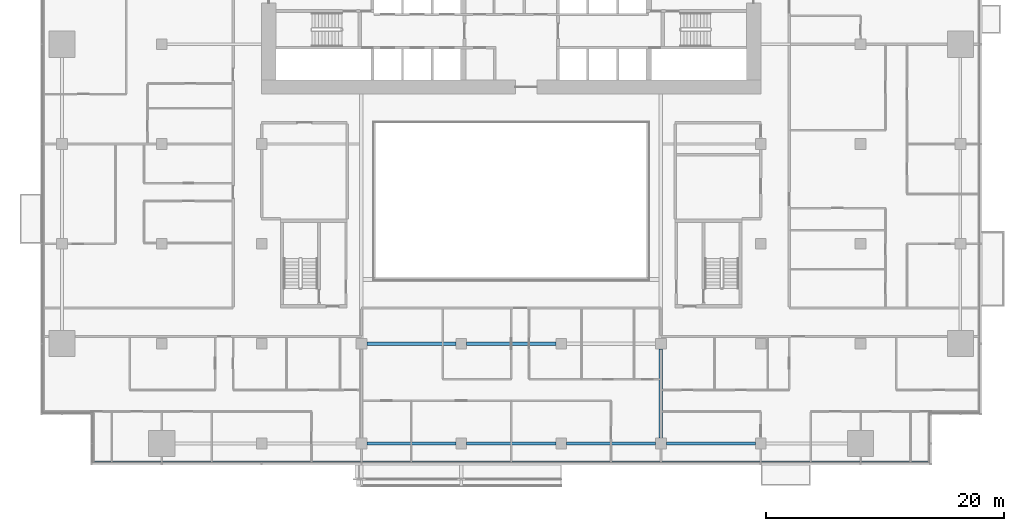
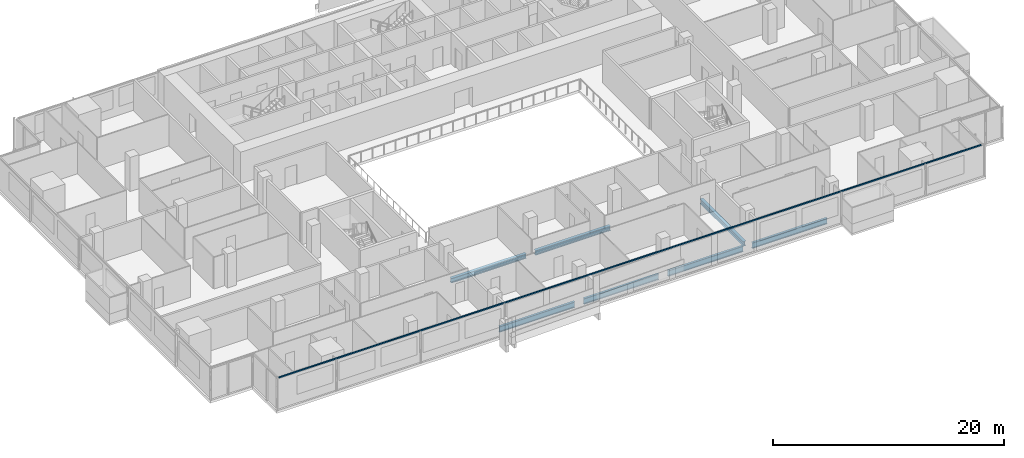
# One storey, part 5 of 26: 7 beams, 1 member, 1 element without a shape of its own.
"""IFC4 building model written with IfcOpenShell, lengths in metres."""

from ifc_helpers import new_model, si_unit, direction, frame, origin, origin_2d, place, context, subcontext, project, spatial, rectangle, i_section, extrude, material, material_profile, profile_set, type_object, element, aggregate, save


model = new_model("IFC4")

# Units and contexts
model_context = context("Model", 3, precision=1e-05, world=origin(), true_north=direction((0.0, 1.0)))
body_context = subcontext(model_context, "Body", "Model", "MODEL_VIEW")
ifc_project = project(units=[si_unit("LENGTHUNIT", "METRE"), si_unit("AREAUNIT", "SQUARE_METRE"), si_unit("VOLUMEUNIT", "CUBIC_METRE"), si_unit("PLANEANGLEUNIT", "RADIAN"), si_unit("MASSUNIT", "GRAM", prefix="KILO")], contexts=[model_context])

# Site, building, storey
site_placement = place(None, origin())
site = spatial("IfcSite", under=ifc_project, at=site_placement, CompositionType="ELEMENT")
building_placement = place(site_placement, origin())
building = spatial("IfcBuilding", under=site, at=building_placement, Name="Saffron Gate Tower", CompositionType="ELEMENT")
storey_placement = place(building_placement, frame((0.0, 0.0, 62.39990234375)))
storey = spatial("IfcBuildingStorey", under=building, at=storey_placement, Name="L14", CompositionType="ELEMENT", Elevation=62.39990234375)

# Beams
ifc_material_1 = material(Name="Structural steel S355", Category="steel")
ifc_material_profile_1 = material_profile(ifc_material_1, i_section(OverallWidth=0.219970703125, OverallDepth=0.60009765625, WebThickness=0.011962890625, FlangeThickness=0.01904296875, FilletRadius=0.02392578125, at=origin_2d()))
ifc_profile_set_1 = profile_set([ifc_material_profile_1], Name="Structural steel S355")
beam_type_1 = type_object("IfcBeamType", Name="B16 IPE 600", PredefinedType="SPANDREL", material=ifc_profile_set_1)
for number, where, z_axis, x_axis, name in (
    (1, (75.449951171875, 31.800048828125, -0.579833984375), (1.0, 0.0, 0.0), (0.0, 1.0, 0.0), "B16 SPANDREL BEAM"),
    (2, (83.85009765625, 31.800048828125, -0.579833984375), (1.0, 0.0, 0.0), (0.0, 1.0, 0.0), "B16 SPANDREL BEAM"),
    (3, (92.25, 31.800048828125, -0.579833984375), (1.0, 0.0, 0.0), (0.0, 1.0, 0.0), "B16 SPANDREL BEAM"),
    (4, (100.64990234375, 31.800048828125, -0.579833984375), (1.0, 0.0, 0.0), (0.0, 1.0, 0.0), "B16 SPANDREL BEAM"),
):
    element("IfcBeam", number, at=place(storey_placement, frame(where, z_axis=z_axis, x_axis=x_axis)), inside=storey, type_object=beam_type_1, Name=name, PredefinedType="SPANDREL", context=body_context, shape_type="SweptSolid", body=[
        extrude(i_section(OverallWidth=0.219970703125, OverallDepth=0.60009765625, WebThickness=0.011962890625, FlangeThickness=0.01904296875, FilletRadius=0.02392578125, at=origin_2d()), origin(), (0.0, 0.0, 1.0), 7.5),
    ])
ifc_material_profile_2 = material_profile(ifc_material_1, i_section(OverallWidth=0.300048828125, OverallDepth=0.489990234375, WebThickness=0.011962890625, FlangeThickness=0.02294921875, FilletRadius=0.027099609375, at=origin_2d()))
ifc_profile_set_2 = profile_set([ifc_material_profile_2], Name="Structural steel S355")
beam_type_2 = type_object("IfcBeamType", Name="B8 HEA 500", PredefinedType="BEAM", material=ifc_profile_set_2)
for number, where, z_axis, x_axis, name in (
    (5, (100.199951171875, 32.25, -0.52490234375), (0.0, 1.0, 0.0), (-1.0, 0.0, 0.0), "B8 FLOOR GIRDER"),
    (6, (75.449951171875, 40.199951171875, -0.52490234375), (1.0, 0.0, 0.0), (0.0, 1.0, 0.0), "B8 FLOOR GIRDER"),
    (7, (83.85009765625, 40.199951171875, -0.52490234375), (1.0, 0.0, 0.0), (0.0, 1.0, 0.0), "B8 FLOOR GIRDER"),
):
    element("IfcBeam", number, at=place(storey_placement, frame(where, z_axis=z_axis, x_axis=x_axis)), inside=storey, type_object=beam_type_2, Name=name, PredefinedType="BEAM", context=body_context, shape_type="SweptSolid", body=[
        extrude(i_section(OverallWidth=0.300048828125, OverallDepth=0.489990234375, WebThickness=0.011962890625, FlangeThickness=0.02294921875, FilletRadius=0.027099609375, at=origin_2d()), origin(), (0.0, 0.0, 1.0), 7.5),
    ])

# Curtain wall, member
ifc_material_2 = material(Name="Aluminium, bronze anodised", Category="aluminium")
curtain_wall_type = type_object("IfcCurtainWallType", Name="CWS1 curtain wall front facade", PredefinedType="NOTDEFINED", material=ifc_material_2)
curtain_wall_placement = place(storey_placement, origin())
curtain_wall = element("IfcCurtainWall", 8, at=curtain_wall_placement, inside=storey, type_object=curtain_wall_type, Name="CWS1 run 1", PredefinedType="NOTDEFINED")
ifc_material_profile_3 = material_profile(ifc_material_2, rectangle(XDim=0.1201171875, YDim=0.1201171875, at=origin_2d()))
ifc_profile_set_3 = profile_set([ifc_material_profile_3], Name="Aluminium, bronze anodised")
member_type = type_object("IfcMemberType", Name="CWS1 head transom", PredefinedType="USERDEFINED", material=ifc_profile_set_3)
member_placement = place(storey_placement, frame((52.568115234375, 30.248046875, 3.260009765625), z_axis=(1.0, 0.0, 0.0), x_axis=(0.0, 1.0, 0.0)))
member = element("IfcMember", 9, at=member_placement, type_object=member_type, Name="CWS1 head transom", ObjectType="TRANSOM", PredefinedType="USERDEFINED", context=body_context, shape_type="SweptSolid", body=[
    extrude(rectangle(XDim=0.1201171875, YDim=0.1201171875, at=origin_2d()), origin(), (0.0, 0.0, 1.0), 70.06396484375),
])
aggregate(curtain_wall, [member])

save(model, "model.ifc")
